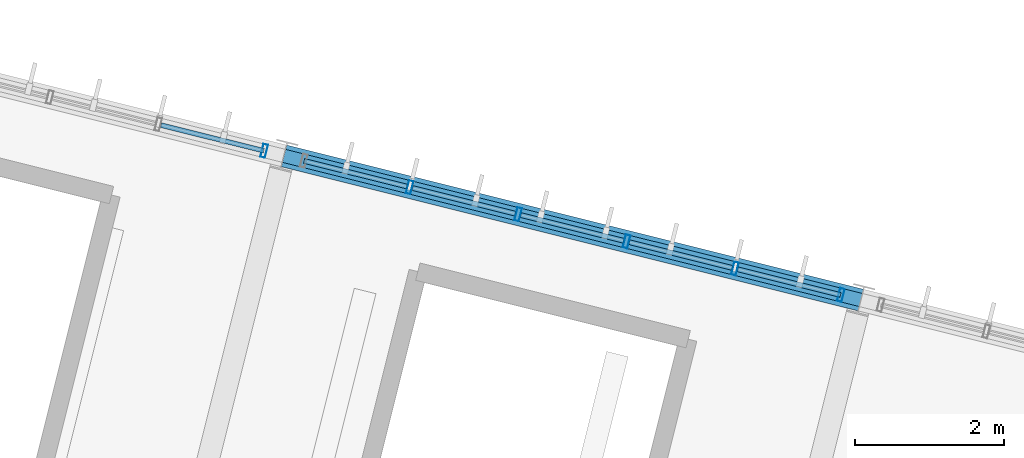
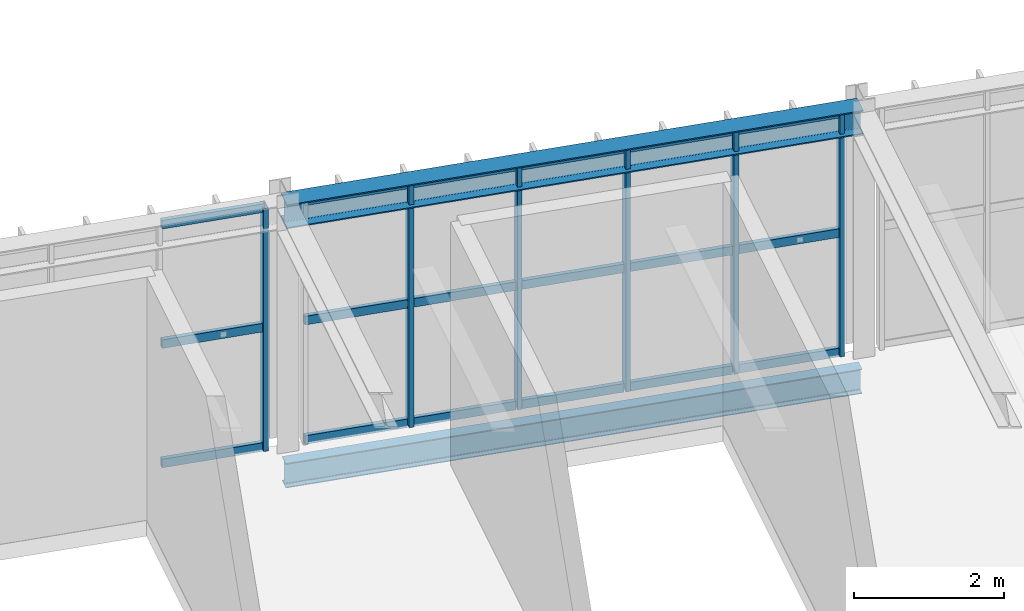
# One storey, part 18 of 30: 24 members, 2 beams, 2 elements without a shape of their own.
"""IFC4 building model written with IfcOpenShell, lengths in metres."""

from ifc_helpers import new_model, si_unit, derived_unit, direction, frame, origin, origin_2d, place, context, subcontext, project, spatial, hollow_rectangle, i_section, extrude, material, material_profile, profile_set, type_object, element, aggregate, save


model = new_model("IFC4")

# Units and contexts
model_context = context("Model", 3, precision=1e-05, world=origin(), true_north=direction((0.0, 1.0)))
body_context = subcontext(model_context, "Body", "Model", "MODEL_VIEW")
ifc_project = project(units=[si_unit("LENGTHUNIT", "METRE"), si_unit("AREAUNIT", "SQUARE_METRE"), si_unit("VOLUMEUNIT", "CUBIC_METRE"), si_unit("PLANEANGLEUNIT", "RADIAN"), si_unit("MASSUNIT", "GRAM", prefix="KILO"), si_unit("THERMODYNAMICTEMPERATUREUNIT", "KELVIN"), si_unit("TIMEUNIT", "SECOND"), derived_unit("THERMALTRANSMITTANCEUNIT", [(si_unit("MASSUNIT", "GRAM", prefix="KILO"), 1), (si_unit("THERMODYNAMICTEMPERATUREUNIT", "KELVIN"), -1), (si_unit("TIMEUNIT", "SECOND"), -3)])], contexts=[model_context])

# Site, building, storey
site_placement = place(None, origin())
site = spatial("IfcSite", under=ifc_project, at=site_placement, CompositionType="ELEMENT")
building_placement = place(site_placement, origin())
building = spatial("IfcBuilding", under=site, at=building_placement, Name="Cambertide Market Hall", CompositionType="ELEMENT")
storey_placement = place(building_placement, frame((0.0, 0.0, 14.10009765625)))
storey = spatial("IfcBuildingStorey", under=building, at=storey_placement, Name="L04", CompositionType="ELEMENT", Elevation=14.10009765625)

# Curtain wall, member
ifc_material_1 = material(Name="Marine Anodized Aluminium 6063-T6 AA25", Category="aluminium")
curtain_wall_type = type_object("IfcCurtainWallType", Name="Herb Conservatory Crown Curtain Wall", PredefinedType="USERDEFINED", material=ifc_material_1)
curtain_wall_1_placement = place(storey_placement, origin())
curtain_wall_1 = element("IfcCurtainWall", 1, at=curtain_wall_1_placement, inside=storey, type_object=curtain_wall_type, Name="Level 4 Curtain Wall CW-V4N-L04-4", ObjectType="UNITIZED CURTAIN WALL", PredefinedType="USERDEFINED")
ifc_material_2 = material(Name="Champagne Marine Anodized Aluminium 6063-T6 AA25", Category="aluminium")
ifc_material_profile_1 = material_profile(ifc_material_2, hollow_rectangle(XDim=0.06494140625, YDim=0.179931640625, WallThickness=0.00390625, at=origin_2d()), Name="ALU MULLION 65x180")
ifc_profile_set_1 = profile_set([ifc_material_profile_1], Name="Champagne Marine Anodized Aluminium 6063-T6 AA25")
member_type_1 = type_object("IfcMemberType", Name="Curtain Wall Mullion ALU MULLION 65x180", PredefinedType="MULLION", material=ifc_profile_set_1)
member_1_placement = place(storey_placement, frame((145.326171875, 118.49951171875, 0.0), z_axis=(0.0, 0.0, 1.0), x_axis=(0.970142500145, -0.242535625038, 0.0)))
member_1 = element("IfcMember", 2, at=member_1_placement, type_object=member_type_1, Name="CW-V4N-L04-4 Mullion 6", PredefinedType="MULLION", context=body_context, shape_type="SweptSolid", body=[
    extrude(hollow_rectangle(XDim=0.06494140625, YDim=0.179931640625, WallThickness=0.00390625, at=origin_2d()), origin(), (0.0, 0.0, 1.0), 3.9599609375),
])

# Curtain wall, members
curtain_wall_2_placement = place(storey_placement, origin())
curtain_wall_2 = element("IfcCurtainWall", 3, at=curtain_wall_2_placement, inside=storey, type_object=curtain_wall_type, Name="Level 4 Curtain Wall CW-V4N-L04-5", ObjectType="UNITIZED CURTAIN WALL", PredefinedType="USERDEFINED")
member_2_placement = place(storey_placement, frame((147.284912109375, 118.009765625, 0.0), z_axis=(0.0, 0.0, 1.0), x_axis=(0.970142500145, -0.242535625038, 0.0)))
member_2 = element("IfcMember", 4, at=member_2_placement, type_object=member_type_1, Name="CW-V4N-L04-5 Mullion 2", PredefinedType="MULLION", context=body_context, shape_type="SweptSolid", body=[
    extrude(hollow_rectangle(XDim=0.06494140625, YDim=0.179931640625, WallThickness=0.00390625, at=origin_2d()), origin(), (0.0, 0.0, 1.0), 3.9599609375),
])
member_3_placement = place(storey_placement, frame((148.744140625, 117.64501953125, 0.0), z_axis=(0.0, 0.0, 1.0), x_axis=(0.970142500145, -0.242535625038, 0.0)))
member_3 = element("IfcMember", 5, at=member_3_placement, type_object=member_type_1, Name="CW-V4N-L04-5 Mullion 3", PredefinedType="MULLION", context=body_context, shape_type="SweptSolid", body=[
    extrude(hollow_rectangle(XDim=0.06494140625, YDim=0.179931640625, WallThickness=0.00390625, at=origin_2d()), origin(), (0.0, 0.0, 1.0), 3.9599609375),
])
member_4_placement = place(storey_placement, frame((150.203125, 117.2802734375, 0.0), z_axis=(0.0, 0.0, 1.0), x_axis=(0.970142500145, -0.242535625038, 0.0)))
member_4 = element("IfcMember", 6, at=member_4_placement, type_object=member_type_1, Name="CW-V4N-L04-5 Mullion 4", PredefinedType="MULLION", context=body_context, shape_type="SweptSolid", body=[
    extrude(hollow_rectangle(XDim=0.06494140625, YDim=0.179931640625, WallThickness=0.00390625, at=origin_2d()), origin(), (0.0, 0.0, 1.0), 3.9599609375),
])
member_5_placement = place(storey_placement, frame((151.662353515625, 116.915283203125, 0.0), z_axis=(0.0, 0.0, 1.0), x_axis=(0.970142500145, -0.242535625038, 0.0)))
member_5 = element("IfcMember", 7, at=member_5_placement, type_object=member_type_1, Name="CW-V4N-L04-5 Mullion 5", PredefinedType="MULLION", context=body_context, shape_type="SweptSolid", body=[
    extrude(hollow_rectangle(XDim=0.06494140625, YDim=0.179931640625, WallThickness=0.00390625, at=origin_2d()), origin(), (0.0, 0.0, 1.0), 3.9599609375),
])
member_6_placement = place(storey_placement, frame((153.08740234375, 116.55908203125, 0.0), z_axis=(0.0, 0.0, 1.0), x_axis=(0.970142500145, -0.242535625038, 0.0)))
member_6 = element("IfcMember", 8, at=member_6_placement, type_object=member_type_1, Name="CW-V4N-L04-5 Mullion 6", PredefinedType="MULLION", context=body_context, shape_type="SweptSolid", body=[
    extrude(hollow_rectangle(XDim=0.06494140625, YDim=0.179931640625, WallThickness=0.00390625, at=origin_2d()), origin(), (0.0, 0.0, 1.0), 3.9599609375),
])

# Member
ifc_material_3 = material(Name="Champagne Marine Anodized Aluminium 6063-T6 AA25", Category="aluminium")
ifc_material_profile_2 = material_profile(ifc_material_3, hollow_rectangle(XDim=0.06494140625, YDim=0.139892578125, WallThickness=0.00341796875, at=origin_2d()), Name="ALU TRANSOM 65x140")
ifc_profile_set_2 = profile_set([ifc_material_profile_2], Name="Champagne Marine Anodized Aluminium 6063-T6 AA25")
member_type_2 = type_object("IfcMemberType", Name="Curtain Wall Transom ALU TRANSOM 65x140", PredefinedType="USERDEFINED", material=ifc_profile_set_2)
member_7_placement = place(storey_placement, frame((143.93994140625, 118.845947265625, 0.034912109375), z_axis=(0.970162669427, -0.242454933646, 0.0), x_axis=(0.242454933646, 0.970162669427, 0.0)))
member_7 = element("IfcMember", 9, at=member_7_placement, type_object=member_type_2, Name="CW-V4N-L04-4 Transom 1-5", ObjectType="TRANSOM", PredefinedType="USERDEFINED", context=body_context, shape_type="SweptSolid", body=[
    extrude(hollow_rectangle(XDim=0.06494140625, YDim=0.139892578125, WallThickness=0.00341796875, at=origin_2d()), origin(), (0.0, 0.0, 1.0), 1.423828125),
])

member_8_placement = place(storey_placement, frame((143.93994140625, 118.845947265625, 1.97998046875), z_axis=(0.970162669427, -0.242454933646, 0.0), x_axis=(0.242454933646, 0.970162669427, 0.0)))
member_8 = element("IfcMember", 10, at=member_8_placement, type_object=member_type_2, Name="CW-V4N-L04-4 Transom 2-5", ObjectType="TRANSOM", PredefinedType="USERDEFINED", context=body_context, shape_type="SweptSolid", body=[
    extrude(hollow_rectangle(XDim=0.06494140625, YDim=0.139892578125, WallThickness=0.00341796875, at=origin_2d()), origin(), (0.0, 0.0, 1.0), 1.423828125),
])

member_9_placement = place(storey_placement, frame((143.93994140625, 118.845947265625, 3.9248046875), z_axis=(0.970162669427, -0.242454933646, 0.0), x_axis=(0.242454933646, 0.970162669427, 0.0)))
member_9 = element("IfcMember", 11, at=member_9_placement, type_object=member_type_2, Name="CW-V4N-L04-4 Transom 3-5", ObjectType="TRANSOM", PredefinedType="USERDEFINED", context=body_context, shape_type="SweptSolid", body=[
    extrude(hollow_rectangle(XDim=0.06494140625, YDim=0.139892578125, WallThickness=0.00341796875, at=origin_2d()), origin(), (0.0, 0.0, 1.0), 1.423828125),
])

aggregate(curtain_wall_1, [member_1, member_7, member_8, member_9])

member_10_placement = place(storey_placement, frame((145.86474609375, 118.36474609375, 0.034912109375), z_axis=(0.970162669427, -0.242454933646, 0.0), x_axis=(0.242454933646, 0.970162669427, 0.0)))
member_10 = element("IfcMember", 12, at=member_10_placement, type_object=member_type_2, Name="CW-V4N-L04-5 Transom 1-1", ObjectType="TRANSOM", PredefinedType="USERDEFINED", context=body_context, shape_type="SweptSolid", body=[
    extrude(hollow_rectangle(XDim=0.06494140625, YDim=0.139892578125, WallThickness=0.00341796875, at=origin_2d()), origin(), (0.0, 0.0, 1.0), 1.423828125),
])

member_11_placement = place(storey_placement, frame((147.32373046875, 118.0, 0.034912109375), z_axis=(0.970132415085, -0.242575961715, 0.0), x_axis=(0.242575961715, 0.970132415085, 0.0)))
member_11 = element("IfcMember", 13, at=member_11_placement, type_object=member_type_2, Name="CW-V4N-L04-5 Transom 1-2", ObjectType="TRANSOM", PredefinedType="USERDEFINED", context=body_context, shape_type="SweptSolid", body=[
    extrude(hollow_rectangle(XDim=0.06494140625, YDim=0.139892578125, WallThickness=0.00341796875, at=origin_2d()), origin(), (0.0, 0.0, 1.0), 1.424072265625),
])

member_12_placement = place(storey_placement, frame((148.782958984375, 117.63525390625, 0.034912109375), z_axis=(0.970122324991, -0.242616311393, 0.0), x_axis=(0.242616311393, 0.970122324991, 0.0)))
member_12 = element("IfcMember", 14, at=member_12_placement, type_object=member_type_2, Name="CW-V4N-L04-5 Transom 1-3", ObjectType="TRANSOM", PredefinedType="USERDEFINED", context=body_context, shape_type="SweptSolid", body=[
    extrude(hollow_rectangle(XDim=0.06494140625, YDim=0.139892578125, WallThickness=0.00341796875, at=origin_2d()), origin(), (0.0, 0.0, 1.0), 1.423828125),
])

member_13_placement = place(storey_placement, frame((150.241943359375, 117.2705078125, 0.034912109375), z_axis=(0.970132415085, -0.242575961715, 0.0), x_axis=(0.242575961715, 0.970132415085, 0.0)))
member_13 = element("IfcMember", 15, at=member_13_placement, type_object=member_type_2, Name="CW-V4N-L04-5 Transom 1-4", ObjectType="TRANSOM", PredefinedType="USERDEFINED", context=body_context, shape_type="SweptSolid", body=[
    extrude(hollow_rectangle(XDim=0.06494140625, YDim=0.139892578125, WallThickness=0.00341796875, at=origin_2d()), origin(), (0.0, 0.0, 1.0), 1.424072265625),
])

member_14_placement = place(storey_placement, frame((151.700927734375, 116.90576171875, 0.034912109375), z_axis=(0.970132415085, -0.242575961715, 0.0), x_axis=(0.242575961715, 0.970132415085, 0.0)))
member_14 = element("IfcMember", 16, at=member_14_placement, type_object=member_type_2, Name="CW-V4N-L04-5 Transom 1-5", ObjectType="TRANSOM", PredefinedType="USERDEFINED", context=body_context, shape_type="SweptSolid", body=[
    extrude(hollow_rectangle(XDim=0.06494140625, YDim=0.139892578125, WallThickness=0.00341796875, at=origin_2d()), origin(), (0.0, 0.0, 1.0), 1.424072265625),
])

member_15_placement = place(storey_placement, frame((145.86474609375, 118.36474609375, 1.97998046875), z_axis=(0.970162669427, -0.242454933646, 0.0), x_axis=(0.242454933646, 0.970162669427, 0.0)))
member_15 = element("IfcMember", 17, at=member_15_placement, type_object=member_type_2, Name="CW-V4N-L04-5 Transom 2-1", ObjectType="TRANSOM", PredefinedType="USERDEFINED", context=body_context, shape_type="SweptSolid", body=[
    extrude(hollow_rectangle(XDim=0.06494140625, YDim=0.139892578125, WallThickness=0.00341796875, at=origin_2d()), origin(), (0.0, 0.0, 1.0), 1.423828125),
])

member_16_placement = place(storey_placement, frame((147.32373046875, 118.0, 1.97998046875), z_axis=(0.970132415085, -0.242575961715, 0.0), x_axis=(0.242575961715, 0.970132415085, 0.0)))
member_16 = element("IfcMember", 18, at=member_16_placement, type_object=member_type_2, Name="CW-V4N-L04-5 Transom 2-2", ObjectType="TRANSOM", PredefinedType="USERDEFINED", context=body_context, shape_type="SweptSolid", body=[
    extrude(hollow_rectangle(XDim=0.06494140625, YDim=0.139892578125, WallThickness=0.00341796875, at=origin_2d()), origin(), (0.0, 0.0, 1.0), 1.424072265625),
])

member_17_placement = place(storey_placement, frame((148.782958984375, 117.63525390625, 1.97998046875), z_axis=(0.970122324991, -0.242616311393, 0.0), x_axis=(0.242616311393, 0.970122324991, 0.0)))
member_17 = element("IfcMember", 19, at=member_17_placement, type_object=member_type_2, Name="CW-V4N-L04-5 Transom 2-3", ObjectType="TRANSOM", PredefinedType="USERDEFINED", context=body_context, shape_type="SweptSolid", body=[
    extrude(hollow_rectangle(XDim=0.06494140625, YDim=0.139892578125, WallThickness=0.00341796875, at=origin_2d()), origin(), (0.0, 0.0, 1.0), 1.423828125),
])

member_18_placement = place(storey_placement, frame((150.241943359375, 117.2705078125, 1.97998046875), z_axis=(0.970132415085, -0.242575961715, 0.0), x_axis=(0.242575961715, 0.970132415085, 0.0)))
member_18 = element("IfcMember", 20, at=member_18_placement, type_object=member_type_2, Name="CW-V4N-L04-5 Transom 2-4", ObjectType="TRANSOM", PredefinedType="USERDEFINED", context=body_context, shape_type="SweptSolid", body=[
    extrude(hollow_rectangle(XDim=0.06494140625, YDim=0.139892578125, WallThickness=0.00341796875, at=origin_2d()), origin(), (0.0, 0.0, 1.0), 1.424072265625),
])

member_19_placement = place(storey_placement, frame((151.700927734375, 116.90576171875, 1.97998046875), z_axis=(0.970132415085, -0.242575961715, 0.0), x_axis=(0.242575961715, 0.970132415085, 0.0)))
member_19 = element("IfcMember", 21, at=member_19_placement, type_object=member_type_2, Name="CW-V4N-L04-5 Transom 2-5", ObjectType="TRANSOM", PredefinedType="USERDEFINED", context=body_context, shape_type="SweptSolid", body=[
    extrude(hollow_rectangle(XDim=0.06494140625, YDim=0.139892578125, WallThickness=0.00341796875, at=origin_2d()), origin(), (0.0, 0.0, 1.0), 1.424072265625),
])

member_20_placement = place(storey_placement, frame((145.86474609375, 118.36474609375, 3.9248046875), z_axis=(0.970162669427, -0.242454933646, 0.0), x_axis=(0.242454933646, 0.970162669427, 0.0)))
member_20 = element("IfcMember", 22, at=member_20_placement, type_object=member_type_2, Name="CW-V4N-L04-5 Transom 3-1", ObjectType="TRANSOM", PredefinedType="USERDEFINED", context=body_context, shape_type="SweptSolid", body=[
    extrude(hollow_rectangle(XDim=0.06494140625, YDim=0.139892578125, WallThickness=0.00341796875, at=origin_2d()), origin(), (0.0, 0.0, 1.0), 1.423828125),
])

member_21_placement = place(storey_placement, frame((147.32373046875, 118.0, 3.9248046875), z_axis=(0.970132415085, -0.242575961715, 0.0), x_axis=(0.242575961715, 0.970132415085, 0.0)))
member_21 = element("IfcMember", 23, at=member_21_placement, type_object=member_type_2, Name="CW-V4N-L04-5 Transom 3-2", ObjectType="TRANSOM", PredefinedType="USERDEFINED", context=body_context, shape_type="SweptSolid", body=[
    extrude(hollow_rectangle(XDim=0.06494140625, YDim=0.139892578125, WallThickness=0.00341796875, at=origin_2d()), origin(), (0.0, 0.0, 1.0), 1.424072265625),
])

member_22_placement = place(storey_placement, frame((148.782958984375, 117.63525390625, 3.9248046875), z_axis=(0.970122324991, -0.242616311393, 0.0), x_axis=(0.242616311393, 0.970122324991, 0.0)))
member_22 = element("IfcMember", 24, at=member_22_placement, type_object=member_type_2, Name="CW-V4N-L04-5 Transom 3-3", ObjectType="TRANSOM", PredefinedType="USERDEFINED", context=body_context, shape_type="SweptSolid", body=[
    extrude(hollow_rectangle(XDim=0.06494140625, YDim=0.139892578125, WallThickness=0.00341796875, at=origin_2d()), origin(), (0.0, 0.0, 1.0), 1.423828125),
])

member_23_placement = place(storey_placement, frame((150.241943359375, 117.2705078125, 3.9248046875), z_axis=(0.970132415085, -0.242575961715, 0.0), x_axis=(0.242575961715, 0.970132415085, 0.0)))
member_23 = element("IfcMember", 25, at=member_23_placement, type_object=member_type_2, Name="CW-V4N-L04-5 Transom 3-4", ObjectType="TRANSOM", PredefinedType="USERDEFINED", context=body_context, shape_type="SweptSolid", body=[
    extrude(hollow_rectangle(XDim=0.06494140625, YDim=0.139892578125, WallThickness=0.00341796875, at=origin_2d()), origin(), (0.0, 0.0, 1.0), 1.424072265625),
])

member_24_placement = place(storey_placement, frame((151.700927734375, 116.90576171875, 3.9248046875), z_axis=(0.970132415085, -0.242575961715, 0.0), x_axis=(0.242575961715, 0.970132415085, 0.0)))
member_24 = element("IfcMember", 26, at=member_24_placement, type_object=member_type_2, Name="CW-V4N-L04-5 Transom 3-5", ObjectType="TRANSOM", PredefinedType="USERDEFINED", context=body_context, shape_type="SweptSolid", body=[
    extrude(hollow_rectangle(XDim=0.06494140625, YDim=0.139892578125, WallThickness=0.00341796875, at=origin_2d()), origin(), (0.0, 0.0, 1.0), 1.424072265625),
])

aggregate(curtain_wall_2, [member_2, member_3, member_4, member_5, member_6, member_10, member_11, member_12, member_13, member_14, member_15, member_16, member_17, member_18, member_19, member_20, member_21, member_22, member_23, member_24])

# Beams
ifc_material_4 = material(Name="Steel S355", Category="steel")
ifc_material_profile_3 = material_profile(ifc_material_4, i_section(OverallWidth=0.300048828125, OverallDepth=0.389892578125, WebThickness=0.010986328125, FlangeThickness=0.01904296875, FilletRadius=0.027099609375, at=origin_2d()), Name="HEA 400")
ifc_profile_set_3 = profile_set([ifc_material_profile_3], Name="Steel S355")
beam_type_1 = type_object("IfcBeamType", Name="Exterior Steel Girder HEA 400", PredefinedType="BEAM", material=ifc_profile_set_3)
beam_1_placement = place(storey_placement, frame((145.593017578125, 118.4326171875, 3.804931640625), z_axis=(0.970146090314, -0.242521263911, 0.0), x_axis=(0.242521263911, 0.970146090314, 0.0)))
element("IfcBeam", 27, at=beam_1_placement, inside=storey, type_object=beam_type_1, Name="Level 4 Beam BM-V4U-RF-5-4", PredefinedType="BEAM", context=body_context, shape_type="SweptSolid", body=[
    extrude(i_section(OverallWidth=0.300048828125, OverallDepth=0.389892578125, WebThickness=0.010986328125, FlangeThickness=0.01904296875, FilletRadius=0.027099609375, at=origin_2d()), origin(), (0.0, 0.0, 1.0), 8.0),
])
ifc_material_5 = material(Name="Steel S355", Category="steel")
ifc_material_profile_4 = material_profile(ifc_material_5, i_section(OverallWidth=0.179931640625, OverallDepth=0.39990234375, WebThickness=0.008544921875, FlangeThickness=0.013427734375, FilletRadius=0.02099609375, at=origin_2d()), Name="IPE 400")
ifc_profile_set_4 = profile_set([ifc_material_profile_4], Name="Steel S355")
beam_type_2 = type_object("IfcBeamType", Name="Perimeter Spandrel Beam IPE 400", PredefinedType="SPANDREL", material=ifc_profile_set_4)
beam_2_placement = place(storey_placement, frame((145.593017578125, 118.4326171875, -0.455078125), z_axis=(0.970146090314, -0.242521263911, 0.0), x_axis=(0.242521263911, 0.970146090314, 0.0)))
element("IfcBeam", 28, at=beam_2_placement, inside=storey, type_object=beam_type_2, Name="Level 4 Spandrel BM-V4U-L04-5-4", PredefinedType="SPANDREL", context=body_context, shape_type="SweptSolid", body=[
    extrude(i_section(OverallWidth=0.179931640625, OverallDepth=0.39990234375, WebThickness=0.008544921875, FlangeThickness=0.013427734375, FilletRadius=0.02099609375, at=origin_2d()), origin(), (0.0, 0.0, 1.0), 8.0),
])

save(model, "model.ifc")
